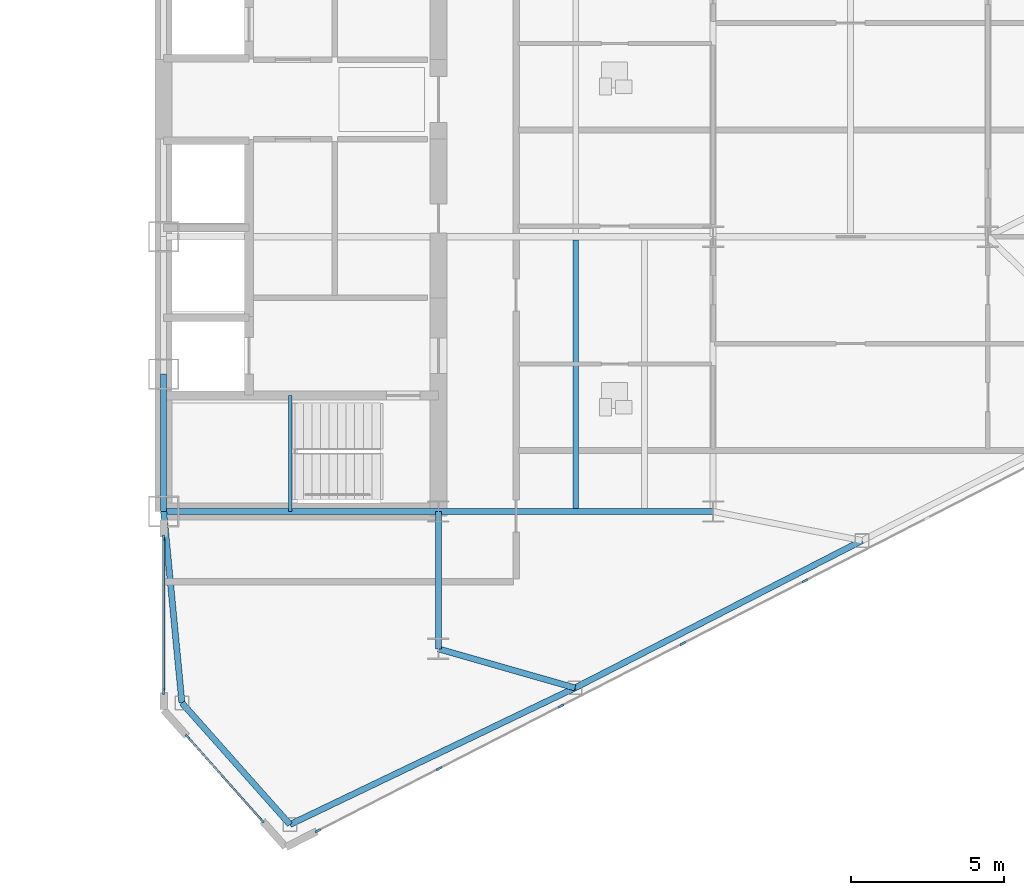
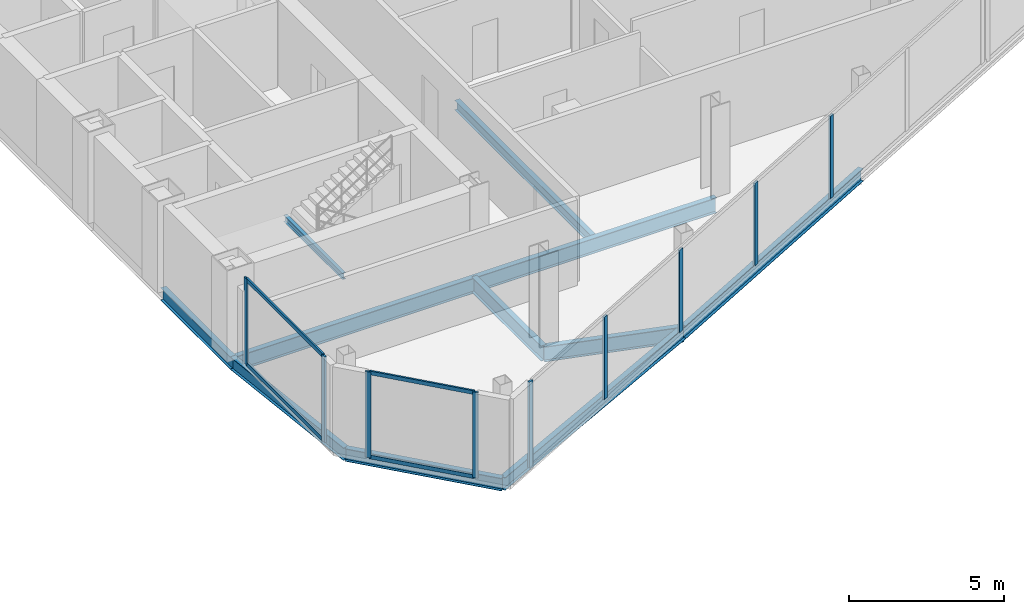
# One storey, part 8 of 24: 13 members, 11 beams, 3 elements without a shape of their own.
"""IFC4 building model written with IfcOpenShell, lengths in metres."""

from ifc_helpers import new_model, si_unit, direction, frame, origin, origin_2d, place, context, subcontext, project, spatial, rectangle, i_section, extrude, source, transform, mapped, material, layer, layer_set, material_profile, profile_set, type_object, type_shapes, element, aggregate, save


model = new_model("IFC4")

# Units and contexts
model_context = context("Model", 3, precision=1e-05, world=origin(), true_north=direction((0.0, 1.0)))
body_context = subcontext(model_context, "Body", "Model", "MODEL_VIEW")
ifc_project = project(units=[si_unit("LENGTHUNIT", "METRE"), si_unit("AREAUNIT", "SQUARE_METRE"), si_unit("VOLUMEUNIT", "CUBIC_METRE"), si_unit("PLANEANGLEUNIT", "RADIAN"), si_unit("MASSUNIT", "GRAM", prefix="KILO")], contexts=[model_context])

# Site, building, storey
site_placement = place(None, origin())
site = spatial("IfcSite", under=ifc_project, at=site_placement, CompositionType="ELEMENT")
building_placement = place(site_placement, origin())
building = spatial("IfcBuilding", under=site, at=building_placement, Name="Seokmaru Belvedere", CompositionType="ELEMENT")
storey_placement = place(building_placement, frame((0.0, 0.0, 140.39990234375)))
storey = spatial("IfcBuildingStorey", under=building, at=storey_placement, Name="L37", CompositionType="ELEMENT", Elevation=140.39990234375)

# Beams
ifc_material_1 = material(Name="Steel SM355 (355 MPa)", Category="steel")
ifc_material_profile_1 = material_profile(ifc_material_1, i_section(OverallWidth=0.199951171875, OverallDepth=0.5, WebThickness=0.010009765625, FlangeThickness=0.01611328125, at=origin_2d()), Name="H-500x200x10x16")
ifc_profile_set_1 = profile_set([ifc_material_profile_1], Name="Steel SM355 (355 MPa)")
beam_type_1 = type_object("IfcBeamType", Name="Perimeter Spandrel Beam H-500", PredefinedType="SPANDREL", material=ifc_profile_set_1)
shared_shape_1 = source(origin(), body_context, "Body", "SweptSolid", [
    extrude(i_section(OverallWidth=0.199951171875, OverallDepth=0.5, WebThickness=0.010009765625, FlangeThickness=0.01611328125, at=origin_2d()), origin(), (0.0, 0.0, 1.0), 4.5),
])
beam_1_placement = place(storey_placement, frame((27.5, -13.5, -0.469970703125), z_axis=(0.0, 1.0, 0.0), x_axis=(-1.0, 0.0, 0.0)))
element("IfcBeam", 1, at=beam_1_placement, inside=storey, type_object=beam_type_1, Name="L37 E Portal Spine Spandrel 1", PredefinedType="SPANDREL", context=body_context, shape_type="MappedRepresentation", body=[
    mapped(shared_shape_1, transform((0.0, 0.0, 0.0), scale=1.0)),
])
ifc_material_profile_2 = material_profile(ifc_material_1, i_section(OverallWidth=0.199951171875, OverallDepth=0.60009765625, WebThickness=0.010986328125, FlangeThickness=0.01708984375, at=origin_2d()), Name="H-600x200x11x17")
ifc_profile_set_2 = profile_set([ifc_material_profile_2], Name="Steel SM355 (355 MPa)")
beam_type_2 = type_object("IfcBeamType", Name="Primary Floor Girder H-600", PredefinedType="BEAM", material=ifc_profile_set_2)
shared_shape_2 = source(origin(), body_context, "Body", "SweptSolid", [
    extrude(i_section(OverallWidth=0.199951171875, OverallDepth=0.60009765625, WebThickness=0.010986328125, FlangeThickness=0.01708984375, at=origin_2d()), origin(), (0.0, 0.0, 1.0), 9.0),
])
for number, where, z_axis, x_axis, name in (
    (2, (27.5, -13.5, -0.52001953125), (1.0, 0.0, 0.0), (0.0, 1.0, 0.0), "L37 E Core Tie Girder 1"),
    (3, (36.5, -13.5, -0.52001953125), (1.0, 0.0, 0.0), (0.0, 1.0, 0.0), "L37 E Wing Primary Girder 1"),
):
    element("IfcBeam", number, at=place(storey_placement, frame(where, z_axis=z_axis, x_axis=x_axis)), inside=storey, type_object=beam_type_2, Name=name, PredefinedType="BEAM", context=body_context, shape_type="MappedRepresentation", body=[
        mapped(shared_shape_2, transform((0.0, 0.0, 0.0), scale=1.0)),
    ])
ifc_material_profile_3 = material_profile(ifc_material_1, i_section(OverallWidth=0.18505859375, OverallDepth=0.389892578125, WebThickness=0.008056640625, FlangeThickness=0.011962890625, at=origin_2d()), Name="H-390x185x8x12")
ifc_profile_set_3 = profile_set([ifc_material_profile_3], Name="Steel SM355 (355 MPa)")
beam_type_3 = type_object("IfcBeamType", Name="Secondary Floor Joist H-350", PredefinedType="JOIST", material=ifc_profile_set_3)
shared_shape_3 = source(origin(), body_context, "Body", "SweptSolid", [
    extrude(i_section(OverallWidth=0.18505859375, OverallDepth=0.389892578125, WebThickness=0.008056640625, FlangeThickness=0.011962890625, at=origin_2d()), origin(), (0.0, 0.0, 1.0), 8.7900390625),
])
type_shapes(beam_type_3, [shared_shape_3])
beam_2_placement = place(storey_placement, frame((41.0, -13.39501953125, -0.414794921875), z_axis=(0.0, 1.0, 0.0), x_axis=(-1.0, 0.0, 0.0)))
element("IfcBeam", 4, at=beam_2_placement, inside=storey, type_object=beam_type_3, Name="L37 E Secondary Floor Joist 1", PredefinedType="JOIST", context=body_context, shape_type="MappedRepresentation", body=[
    mapped(shared_shape_3, transform((0.0, 0.0, 0.0), scale=1.0)),
])
shared_shape_4 = source(origin(), body_context, "Body", "SweptSolid", [
    extrude(i_section(OverallWidth=0.199951171875, OverallDepth=0.60009765625, WebThickness=0.010986328125, FlangeThickness=0.01708984375, at=origin_2d()), origin(), (0.0, 0.0, 1.0), 4.5),
])
beam_3_placement = place(storey_placement, frame((36.5, -18.0, -0.52001953125), z_axis=(0.0, 1.0, 0.0), x_axis=(-1.0, 0.0, 0.0)))
element("IfcBeam", 5, at=beam_3_placement, inside=storey, type_object=beam_type_2, Name="L37 E Core Shoulder Girder S", PredefinedType="BEAM", context=body_context, shape_type="MappedRepresentation", body=[
    mapped(shared_shape_4, transform((0.0, 0.0, 0.0), scale=1.0)),
])
shared_shape_5 = source(origin(), body_context, "Body", "SweptSolid", [
    extrude(i_section(OverallWidth=0.199951171875, OverallDepth=0.5, WebThickness=0.010009765625, FlangeThickness=0.01611328125, at=origin_2d()), origin(), (0.0, 0.0, 1.0), 10.353759765625),
])
beam_4_placement = place(storey_placement, frame((31.6396484375, -23.75390625, -0.469970703125), z_axis=(0.901713202822, 0.432334708134, 0.0), x_axis=(-0.432334708134, 0.901713202822, 0.0)))
element("IfcBeam", 6, at=beam_4_placement, inside=storey, type_object=beam_type_1, Name="L37 E Faceted Flank Spandrel S-1", PredefinedType="SPANDREL", context=body_context, shape_type="MappedRepresentation", body=[
    mapped(shared_shape_5, transform((0.0, 0.0, 0.0), scale=1.0)),
])
shared_shape_6 = source(origin(), body_context, "Body", "SweptSolid", [
    extrude(i_section(OverallWidth=0.199951171875, OverallDepth=0.5, WebThickness=0.010009765625, FlangeThickness=0.01611328125, at=origin_2d()), origin(), (0.0, 0.0, 1.0), 10.56689453125),
])
beam_5_placement = place(storey_placement, frame((40.975830078125, -19.277587890625, -0.469970703125), z_axis=(0.889701972758, 0.45654178305, 0.0), x_axis=(-0.45654178305, 0.889701972758, 0.0)))
element("IfcBeam", 7, at=beam_5_placement, inside=storey, type_object=beam_type_1, Name="L37 E Faceted Flank Spandrel S-2", PredefinedType="SPANDREL", context=body_context, shape_type="MappedRepresentation", body=[
    mapped(shared_shape_6, transform((0.0, 0.0, 0.0), scale=1.0)),
])
shared_shape_7 = source(origin(), body_context, "Body", "SweptSolid", [
    extrude(i_section(OverallWidth=0.199951171875, OverallDepth=0.5, WebThickness=0.010009765625, FlangeThickness=0.01611328125, at=origin_2d()), origin(), (0.0, 0.0, 1.0), 5.32763671875),
])
beam_6_placement = place(storey_placement, frame((31.6396484375, -23.75390625, -0.469970703125), z_axis=(-0.66436952742, 0.74740426212, 0.0), x_axis=(-0.74740426212, -0.66436952742, 0.0)))
element("IfcBeam", 8, at=beam_6_placement, inside=storey, type_object=beam_type_1, Name="L37 E Shoulder Chamfer Spandrel S", PredefinedType="SPANDREL", context=body_context, shape_type="MappedRepresentation", body=[
    mapped(shared_shape_7, transform((0.0, 0.0, 0.0), scale=1.0)),
])
shared_shape_8 = source(origin(), body_context, "Body", "SweptSolid", [
    extrude(i_section(OverallWidth=0.199951171875, OverallDepth=0.5, WebThickness=0.010009765625, FlangeThickness=0.01611328125, at=origin_2d()), origin(), (0.0, 0.0, 1.0), 6.300537109375),
])
type_shapes(beam_type_1, [shared_shape_1, shared_shape_5, shared_shape_6, shared_shape_7, shared_shape_8])
beam_7_placement = place(storey_placement, frame((28.10009765625, -19.77197265625, -0.469970703125), z_axis=(-0.095244287992, 0.995453929424, 0.0), x_axis=(-0.995453929424, -0.095244287992, 0.0)))
element("IfcBeam", 9, at=beam_7_placement, inside=storey, type_object=beam_type_1, Name="L37 E Shoulder Spine Spandrel S", PredefinedType="SPANDREL", context=body_context, shape_type="MappedRepresentation", body=[
    mapped(shared_shape_8, transform((0.0, 0.0, 0.0), scale=1.0)),
])
shared_shape_9 = source(origin(), body_context, "Body", "SweptSolid", [
    extrude(i_section(OverallWidth=0.199951171875, OverallDepth=0.60009765625, WebThickness=0.010986328125, FlangeThickness=0.01708984375, at=origin_2d()), origin(), (0.0, 0.0, 1.0), 4.654541015625),
])
type_shapes(beam_type_2, [shared_shape_2, shared_shape_4, shared_shape_9])
beam_8_placement = place(storey_placement, frame((40.975830078125, -19.277587890625, -0.52001953125), z_axis=(-0.961593192625, 0.274478654721, 0.0), x_axis=(-0.274478654721, -0.961593192625, 0.0)))
element("IfcBeam", 10, at=beam_8_placement, inside=storey, type_object=beam_type_2, Name="L37 E Flank Radial Floor Girder S-1", PredefinedType="BEAM", context=body_context, shape_type="MappedRepresentation", body=[
    mapped(shared_shape_9, transform((0.0, 0.0, 0.0), scale=1.0)),
])

# Curtain wall, member
ifc_material_2 = material(Name="Bronze Triple Insulating Glass", Category="glass")
ifc_layer = layer(ifc_material_2, 0.195068359375)
ifc_layer_set = layer_set([ifc_layer], Name="Bronze Triple Insulating Glass")
curtain_wall_type = type_object("IfcCurtainWallType", Name="Sky-Lobby and Mid-Rise Curtain Wall System CW-4", PredefinedType="NOTDEFINED", material=ifc_layer_set)
curtain_wall_1_placement = place(storey_placement, origin())
curtain_wall_1 = element("IfcCurtainWall", 11, at=curtain_wall_1_placement, inside=storey, type_object=curtain_wall_type, Name="L37 Curtain Wall EF1", PredefinedType="NOTDEFINED")
ifc_material_3 = material(Name="Anodised Bronze Aluminium", Category="aluminium")
ifc_material_profile_4 = material_profile(ifc_material_3, rectangle(XDim=0.070068359375, YDim=0.195068359375, at=origin_2d()), Name="CW-M-70x195")
ifc_profile_set_4 = profile_set([ifc_material_profile_4], Name="Anodised Bronze Aluminium")
member_type_1 = type_object("IfcMemberType", Name="Bronze Unitised Mullion 70x195", PredefinedType="MULLION", material=ifc_profile_set_4)
shared_shape_10 = source(origin(), body_context, "Body", "SweptSolid", [
    extrude(rectangle(XDim=0.070068359375, YDim=0.195068359375, at=origin_2d()), origin(), (0.0, 0.0, 1.0), 3.380126953125),
])
member_1_placement = place(storey_placement, frame((32.55419921875, -23.958984375, 0.0), z_axis=(0.0, 0.0, 1.0), x_axis=(-0.456554528263, 0.889695432562, 0.0)))
member_1 = element("IfcMember", 12, at=member_1_placement, type_object=member_type_1, Name="CW:L37:EF1 Mullion 1", PredefinedType="MULLION", context=body_context, shape_type="MappedRepresentation", body=[
    mapped(shared_shape_10, transform((0.0, 0.0, 0.0), scale=1.0)),
])

# Curtain wall, members
curtain_wall_2_placement = place(storey_placement, origin())
curtain_wall_2 = element("IfcCurtainWall", 13, at=curtain_wall_2_placement, inside=storey, type_object=curtain_wall_type, Name="L37 Curtain Wall ESP_1", PredefinedType="NOTDEFINED")
member_2_placement = place(storey_placement, frame((27.5, -14.364990234375, 0.0), z_axis=(0.0, 0.0, 1.0), x_axis=(1.0, 0.0, 0.0)))
member_2 = element("IfcMember", 14, at=member_2_placement, type_object=member_type_1, Name="CW:L37:ESP_1 Mullion 1", PredefinedType="MULLION", context=body_context, shape_type="MappedRepresentation", body=[
    mapped(shared_shape_10, transform((0.0, 0.0, 0.0), scale=1.0)),
])
member_3_placement = place(storey_placement, frame((27.5, -19.39501953125, 0.0), z_axis=(0.0, 0.0, 1.0), x_axis=(1.0, 0.0, 0.0)))
member_3 = element("IfcMember", 15, at=member_3_placement, type_object=member_type_1, Name="CW:L37:ESP_1 Mullion 2", PredefinedType="MULLION", context=body_context, shape_type="MappedRepresentation", body=[
    mapped(shared_shape_10, transform((0.0, 0.0, 0.0), scale=1.0)),
])

curtain_wall_3_placement = place(storey_placement, origin())
curtain_wall_3 = element("IfcCurtainWall", 16, at=curtain_wall_3_placement, inside=storey, type_object=curtain_wall_type, Name="L37 Curtain Wall EF6", PredefinedType="NOTDEFINED")
member_4_placement = place(storey_placement, frame((28.287353515625, -20.8857421875, 0.0), z_axis=(0.0, 0.0, 1.0), x_axis=(0.747409774804, 0.664363325694, 0.0)))
member_4 = element("IfcMember", 17, at=member_4_placement, type_object=member_type_1, Name="CW:L37:EF6 Mullion 1", PredefinedType="MULLION", context=body_context, shape_type="MappedRepresentation", body=[
    mapped(shared_shape_10, transform((0.0, 0.0, 0.0), scale=1.0)),
])
member_5_placement = place(storey_placement, frame((30.712646484375, -23.6142578125, 0.0), z_axis=(0.0, 0.0, 1.0), x_axis=(0.747409774804, 0.664363325694, 0.0)))
member_5 = element("IfcMember", 18, at=member_5_placement, type_object=member_type_1, Name="CW:L37:EF6 Mullion 2", PredefinedType="MULLION", context=body_context, shape_type="MappedRepresentation", body=[
    mapped(shared_shape_10, transform((0.0, 0.0, 0.0), scale=1.0)),
])
ifc_material_profile_5 = material_profile(ifc_material_3, rectangle(XDim=0.06494140625, YDim=0.14990234375, at=origin_2d()), Name="CW-T-65x150")
ifc_profile_set_5 = profile_set([ifc_material_profile_5], Name="Anodised Bronze Aluminium")
member_type_2 = type_object("IfcMemberType", Name="Bronze Unitised Transom 65x150", PredefinedType="USERDEFINED", material=ifc_profile_set_5)
shared_shape_11 = source(origin(), body_context, "Body", "SweptSolid", [
    extrude(rectangle(XDim=0.06494140625, YDim=0.14990234375, at=origin_2d()), origin(), (0.0, 0.0, 1.0), 3.580810546875),
])
member_6_placement = place(storey_placement, frame((28.310546875, -20.911865234375, 0.03271484375), z_axis=(0.66436383883, -0.747409318684, 0.0), x_axis=(0.747409318684, 0.66436383883, 0.0)))
member_6 = element("IfcMember", 19, at=member_6_placement, type_object=member_type_2, Name="CW:L37:EF6 Continuous Transom 1", ObjectType="TRANSOM", PredefinedType="USERDEFINED", context=body_context, shape_type="MappedRepresentation", body=[
    mapped(shared_shape_11, transform((0.0, 0.0, 0.0), scale=1.0)),
])
member_7_placement = place(storey_placement, frame((28.310546875, -20.911865234375, 3.34765625), z_axis=(0.66436383883, -0.747409318684, 0.0), x_axis=(0.747409318684, 0.66436383883, 0.0)))
member_7 = element("IfcMember", 20, at=member_7_placement, type_object=member_type_2, Name="CW:L37:EF6 Continuous Transom 2", ObjectType="TRANSOM", PredefinedType="USERDEFINED", context=body_context, shape_type="MappedRepresentation", body=[
    mapped(shared_shape_11, transform((0.0, 0.0, 0.0), scale=1.0)),
])
aggregate(curtain_wall_3, [member_4, member_5, member_6, member_7])

# Member
shared_shape_12 = source(origin(), body_context, "Body", "SweptSolid", [
    extrude(rectangle(XDim=0.070068359375, YDim=0.195068359375, at=origin_2d()), origin(), (0.0, 0.0, 1.0), 3.25),
])
type_shapes(member_type_1, [shared_shape_10, shared_shape_12])
member_8_placement = place(storey_placement, frame((36.51806640625, -21.925048828125, 0.065185546875), z_axis=(0.0, 0.0, 1.0), x_axis=(-0.456554528263, 0.889695432562, 0.0)))
member_8 = element("IfcMember", 21, at=member_8_placement, type_object=member_type_1, Name="CW:L37:EF1 Mullion 2", PredefinedType="MULLION", context=body_context, shape_type="MappedRepresentation", body=[
    mapped(shared_shape_12, transform((0.0, 0.0, 0.0), scale=1.0)),
])

member_9_placement = place(storey_placement, frame((40.5126953125, -19.875, 0.065185546875), z_axis=(0.0, 0.0, 1.0), x_axis=(-0.456554528263, 0.889695432562, 0.0)))
member_9 = element("IfcMember", 22, at=member_9_placement, type_object=member_type_1, Name="CW:L37:EF1 Mullion 3", PredefinedType="MULLION", context=body_context, shape_type="MappedRepresentation", body=[
    mapped(shared_shape_12, transform((0.0, 0.0, 0.0), scale=1.0)),
])

member_10_placement = place(storey_placement, frame((44.5078125, -17.824951171875, 0.065185546875), z_axis=(0.0, 0.0, 1.0), x_axis=(-0.456554528263, 0.889695432562, 0.0)))
member_10 = element("IfcMember", 23, at=member_10_placement, type_object=member_type_1, Name="CW:L37:EF1 Mullion 4", PredefinedType="MULLION", context=body_context, shape_type="MappedRepresentation", body=[
    mapped(shared_shape_12, transform((0.0, 0.0, 0.0), scale=1.0)),
])

member_11_placement = place(storey_placement, frame((48.502685546875, -15.77490234375, 0.065185546875), z_axis=(0.0, 0.0, 1.0), x_axis=(-0.456554528263, 0.889695432562, 0.0)))
member_11 = element("IfcMember", 24, at=member_11_placement, type_object=member_type_1, Name="CW:L37:EF1 Mullion 5", PredefinedType="MULLION", context=body_context, shape_type="MappedRepresentation", body=[
    mapped(shared_shape_12, transform((0.0, 0.0, 0.0), scale=1.0)),
])

aggregate(curtain_wall_1, [member_1, member_8, member_9, member_10, member_11])

shared_shape_13 = source(origin(), body_context, "Body", "SweptSolid", [
    extrude(rectangle(XDim=0.06494140625, YDim=0.14990234375, at=origin_2d()), origin(), (0.0, 0.0, 1.0), 4.960205078125),
])
type_shapes(member_type_2, [shared_shape_11, shared_shape_13])
member_12_placement = place(storey_placement, frame((27.5, -14.39990234375, 0.03271484375), z_axis=(0.0, -1.0, 0.0), x_axis=(1.0, 0.0, 0.0)))
member_12 = element("IfcMember", 25, at=member_12_placement, type_object=member_type_2, Name="CW:L37:ESP_1 Continuous Transom 1", ObjectType="TRANSOM", PredefinedType="USERDEFINED", context=body_context, shape_type="MappedRepresentation", body=[
    mapped(shared_shape_13, transform((0.0, 0.0, 0.0), scale=1.0)),
])

member_13_placement = place(storey_placement, frame((27.5, -14.39990234375, 3.34765625), z_axis=(0.0, -1.0, 0.0), x_axis=(1.0, 0.0, 0.0)))
member_13 = element("IfcMember", 26, at=member_13_placement, type_object=member_type_2, Name="CW:L37:ESP_1 Continuous Transom 2", ObjectType="TRANSOM", PredefinedType="USERDEFINED", context=body_context, shape_type="MappedRepresentation", body=[
    mapped(shared_shape_13, transform((0.0, 0.0, 0.0), scale=1.0)),
])

aggregate(curtain_wall_2, [member_2, member_3, member_12, member_13])

# Beam
ifc_material_profile_6 = material_profile(ifc_material_1, i_section(OverallWidth=0.125, OverallDepth=0.25, WebThickness=0.006103515625, FlangeThickness=0.009033203125, at=origin_2d()), Name="H-250x125x6x9")
ifc_profile_set_6 = profile_set([ifc_material_profile_6], Name="Steel SM355 (355 MPa)")
beam_type_4 = type_object("IfcBeamType", Name="Stair Mid-Landing Support Beam H-250", PredefinedType="JOIST", material=ifc_profile_set_6)
shared_shape_14 = source(origin(), body_context, "Body", "SweptSolid", [
    extrude(i_section(OverallWidth=0.125, OverallDepth=0.25, WebThickness=0.006103515625, FlangeThickness=0.009033203125, at=origin_2d()), origin(), (0.0, 0.0, 1.0), 3.800048828125),
])
type_shapes(beam_type_4, [shared_shape_14])
beam_9_placement = place(storey_placement, frame((31.64990234375, -13.5, 1.47509765625), z_axis=(0.0, 1.0, 0.0), x_axis=(-1.0, 0.0, 0.0)))
element("IfcBeam", 27, at=beam_9_placement, inside=storey, type_object=beam_type_4, Name="L37 Stair ST-E1 Mid-Landing Support Beam 1", PredefinedType="JOIST", context=body_context, shape_type="MappedRepresentation", body=[
    mapped(shared_shape_14, transform((0.0, 0.0, 0.0), scale=1.0)),
])

save(model, "model.ifc")
